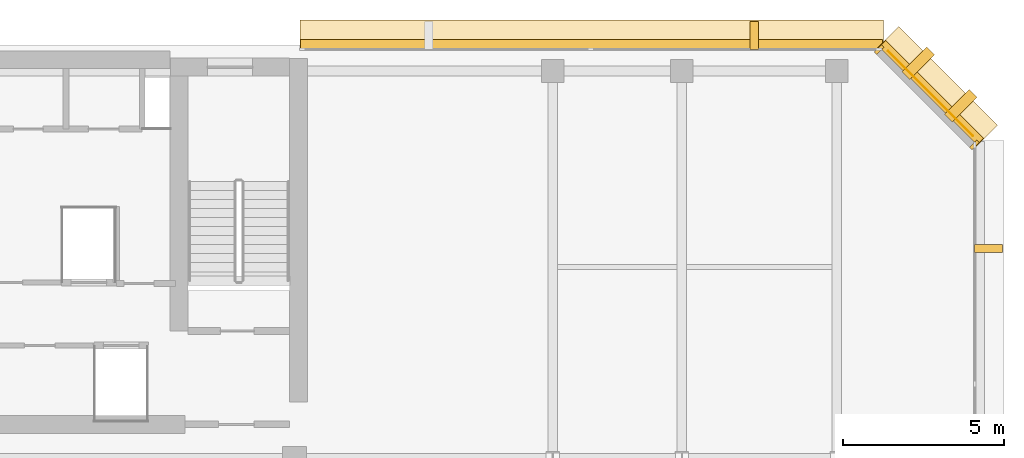
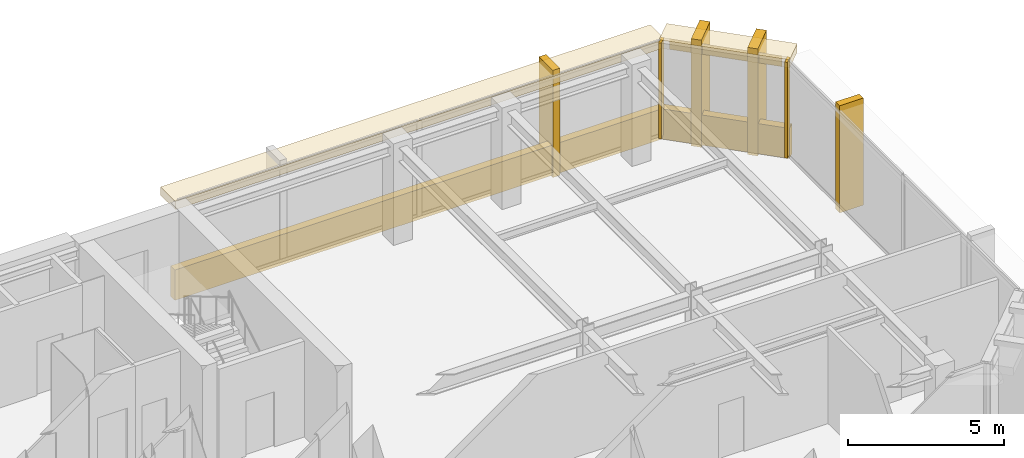
# One storey, part 11 of 11: 11 coverings.
"""IFC4 building model written with IfcOpenShell, lengths in metres."""

from ifc_helpers import new_model, si_unit, direction, frame, origin, origin_2d, place, context, subcontext, project, spatial, rectangle, extrude, material, layer, layer_set, type_object, element, save


model = new_model("IFC4")

# Units and contexts
model_context = context("Model", 3, precision=1e-05, world=origin(), true_north=direction((0.0, 1.0)))
body_context = subcontext(model_context, "Body", "Model", "MODEL_VIEW")
ifc_project = project(units=[si_unit("LENGTHUNIT", "METRE"), si_unit("AREAUNIT", "SQUARE_METRE"), si_unit("VOLUMEUNIT", "CUBIC_METRE"), si_unit("PLANEANGLEUNIT", "RADIAN"), si_unit("MASSUNIT", "GRAM", prefix="KILO")], contexts=[model_context])

# Site, building, storey
site_placement = place(None, origin())
site = spatial("IfcSite", under=ifc_project, at=site_placement, CompositionType="ELEMENT")
building_placement = place(site_placement, origin())
building = spatial("IfcBuilding", under=site, at=building_placement, Name="Kefirva Bronze Tower", CompositionType="ELEMENT")
storey_placement = place(building_placement, frame((0.0, 0.0, 335.610107421875)))
storey = spatial("IfcBuildingStorey", under=building, at=storey_placement, Name="L82", CompositionType="ELEMENT", Elevation=335.610107421875)

# Coverings
ifc_material = material(Name="Bronze anodised aluminium", Category="aluminium")
ifc_layer_1 = layer(ifc_material, 0.02001953125, Name="Bronze anodised aluminium")
ifc_layer_set_1 = layer_set([ifc_layer_1], Name="Bronze anodised aluminium")
covering_type_1 = type_object("IfcCoveringType", Name="Anodised Bronze Spandrel Cladding 20mm", PredefinedType="CLADDING", material=ifc_layer_set_1)
covering_1_placement = place(storey_placement, frame((42.906982421875, 44.507080078125, 3.31982421875), z_axis=(0.0, 0.0, 1.0), x_axis=(-0.707106781187, 0.707106781187, 0.0)))
element("IfcCovering", 1, at=covering_1_placement, inside=storey, type_object=covering_type_1, Name="L82 Bronze Spandrel Cladding 5", PredefinedType="CLADDING", context=body_context, shape_type="SweptSolid", body=[
    extrude(rectangle(XDim=3.719482421875, YDim=0.02001953125, at=origin_2d()), origin(), (0.0, 0.0, 1.0), 0.39990234375),
])
for number, where, z_axis, x_axis, name in (
    (2, (44.26220703125, 42.91162109375, 0.0), (0.0, 0.0, 1.0), (-0.707106781187, 0.707106781187, 0.0), "L82 Facade Joint Closure Panel 5S"),
    (3, (41.311767578125, 45.862060546875, 0.0), (0.0, 0.0, 1.0), (-0.707106781187, 0.707106781187, 0.0), "L82 Facade Joint Closure Panel 5E"),
):
    element("IfcCovering", number, at=place(storey_placement, frame(where, z_axis=z_axis, x_axis=x_axis)), inside=storey, type_object=covering_type_1, Name=name, PredefinedType="CLADDING", context=body_context, shape_type="SweptSolid", body=[
        extrude(rectangle(XDim=0.10009765625, YDim=0.320068359375, at=origin_2d()), origin(), (0.0, 0.0, 1.0), 3.739990234375),
    ])
covering_2_placement = place(storey_placement, frame((42.92822265625, 44.5283203125, -0.16015625), z_axis=(0.0, 0.0, 1.0), x_axis=(-0.707106781187, 0.707106781187, 0.0)))
element("IfcCovering", 4, at=covering_2_placement, inside=storey, type_object=covering_type_1, Name="L82 Streamline Horizontal Spandrel Band 7", PredefinedType="CLADDING", context=body_context, shape_type="SweptSolid", body=[
    extrude(rectangle(XDim=4.28271484375, YDim=0.280029296875, at=origin_2d()), origin(), (0.0, 0.0, 1.0), 1.179931640625),
])
covering_3_placement = place(storey_placement, frame((32.402587890625, 46.0400390625, -0.16015625), z_axis=(0.0, 0.0, 1.0), x_axis=(-1.0, 0.0, 0.0)))
element("IfcCovering", 5, at=covering_3_placement, inside=storey, type_object=covering_type_1, Name="L82 Streamline Horizontal Spandrel Band 8", PredefinedType="CLADDING", context=body_context, shape_type="SweptSolid", body=[
    extrude(rectangle(XDim=18.034912109375, YDim=0.280029296875, at=origin_2d()), origin(), (0.0, 0.0, 1.0), 1.179931640625),
])
ifc_layer_2 = layer(ifc_material, 0.179931640625, Name="Bronze anodised aluminium")
ifc_layer_set_2 = layer_set([ifc_layer_2], Name="Bronze anodised aluminium")
covering_type_2 = type_object("IfcCoveringType", Name="Streamline Bronze Sunshade Eyebrow Cladding 180mm", PredefinedType="CLADDING", material=ifc_layer_set_2)
covering_4_placement = place(storey_placement, frame((43.119140625, 44.71923828125, 3.419921875), z_axis=(0.0, 0.0, 1.0), x_axis=(-0.707106781187, 0.707106781187, 0.0)))
element("IfcCovering", 6, at=covering_4_placement, inside=storey, type_object=covering_type_2, Name="L82 Streamline Bronze Sunshade Eyebrow 7", PredefinedType="CLADDING", context=body_context, shape_type="SweptSolid", body=[
    extrude(rectangle(XDim=4.322509765625, YDim=0.93994140625, at=origin_2d()), origin(), (0.0, 0.0, 1.0), 0.320068359375),
])
covering_5_placement = place(storey_placement, frame((32.402587890625, 46.31005859375, 3.419921875), z_axis=(0.0, 0.0, 1.0), x_axis=(-1.0, 0.0, 0.0)))
element("IfcCovering", 7, at=covering_5_placement, inside=storey, type_object=covering_type_2, Name="L82 Streamline Bronze Sunshade Eyebrow 8", PredefinedType="CLADDING", context=body_context, shape_type="SweptSolid", body=[
    extrude(rectangle(XDim=18.074951171875, YDim=0.93994140625, at=origin_2d()), origin(), (0.0, 0.0, 1.0), 0.320068359375),
])
ifc_layer_3 = layer(ifc_material, 0.260009765625, Name="Bronze anodised aluminium")
ifc_layer_set_3 = layer_set([ifc_layer_3], Name="Bronze anodised aluminium")
covering_type_3 = type_object("IfcCoveringType", Name="Unbroken Bronze Buttress Fin Cladding 260mm", PredefinedType="CLADDING", material=ifc_layer_set_3)
covering_6_placement = place(storey_placement, frame((44.699951171875, 39.699951171875, -0.22021484375), z_axis=(0.0, 0.0, 1.0), x_axis=(0.0, 1.0, 0.0)))
element("IfcCovering", 8, at=covering_6_placement, inside=storey, type_object=covering_type_3, Name="L82 Unbroken Vertical Bronze Rib Fin 14", PredefinedType="CLADDING", context=body_context, shape_type="SweptSolid", body=[
    extrude(rectangle(XDim=0.260009765625, YDim=0.8798828125, at=origin_2d()), origin(), (0.0, 0.0, 1.0), 4.179931640625),
])
for number, where, z_axis, x_axis, name in (
    (9, (43.8427734375, 44.122802734375, -0.22021484375), (0.0, 0.0, 1.0), (-0.707106781187, 0.707106781187, 0.0), "L82 Chamfered Corner Buttress Fin Cladding 15"),
    (10, (42.522705078125, 45.44287109375, -0.22021484375), (0.0, 0.0, 1.0), (-0.707106781187, 0.707106781187, 0.0), "L82 Chamfered Corner Buttress Fin Cladding 16"),
):
    element("IfcCovering", number, at=place(storey_placement, frame(where, z_axis=z_axis, x_axis=x_axis)), inside=storey, type_object=covering_type_3, Name=name, PredefinedType="CLADDING", context=body_context, shape_type="SweptSolid", body=[
        extrude(rectangle(XDim=0.340087890625, YDim=1.080078125, at=origin_2d()), origin(), (0.0, 0.0, 1.0), 4.179931640625),
    ])
covering_7_placement = place(storey_placement, frame((37.441162109375, 46.300048828125, -0.22021484375), z_axis=(0.0, 0.0, 1.0), x_axis=(-1.0, 0.0, 0.0)))
element("IfcCovering", 11, at=covering_7_placement, inside=storey, type_object=covering_type_3, Name="L82 Unbroken Vertical Bronze Rib Fin 17", PredefinedType="CLADDING", context=body_context, shape_type="SweptSolid", body=[
    extrude(rectangle(XDim=0.260009765625, YDim=0.8798828125, at=origin_2d()), origin(), (0.0, 0.0, 1.0), 4.179931640625),
])

save(model, "model.ifc")
